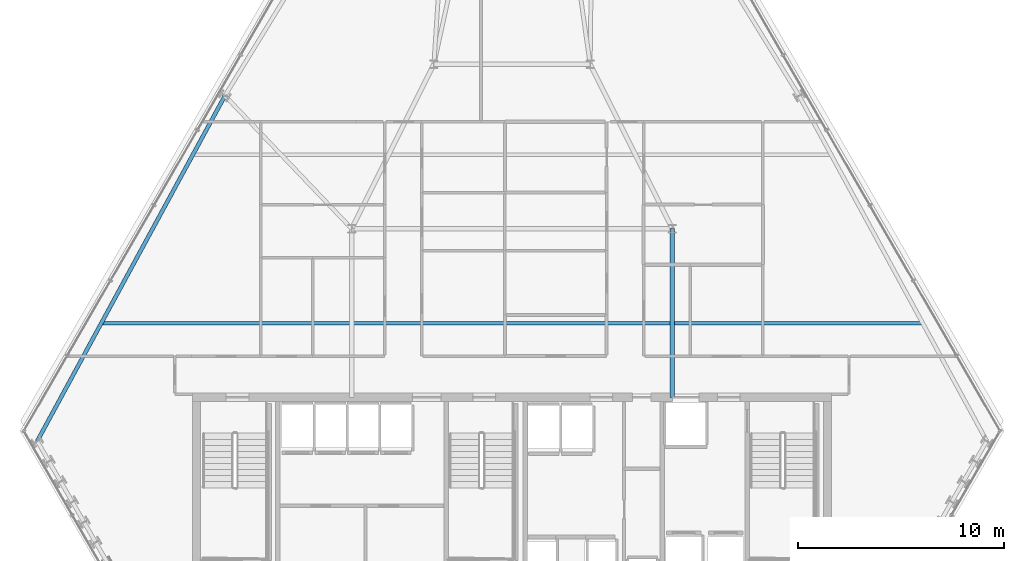
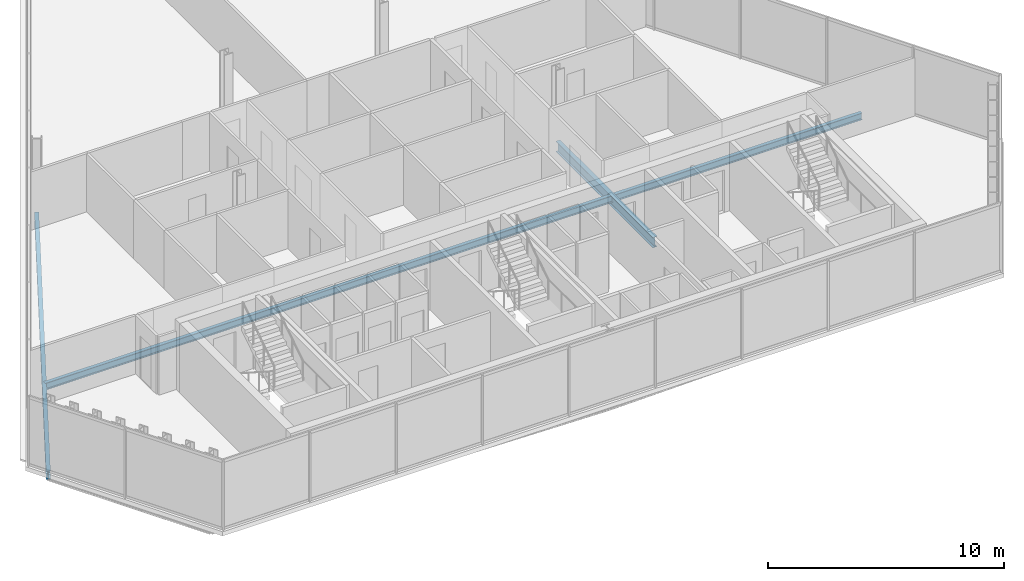
# One storey, part 9 of 33: 3 beams.
"""IFC4 building model written with IfcOpenShell, lengths in metres."""

from ifc_helpers import new_model, si_unit, direction, frame, origin, origin_2d, place, context, subcontext, project, spatial, i_section, extrude, material, material_profile, profile_set, type_object, element, save


model = new_model("IFC4")

# Units and contexts
model_context = context("Model", 3, precision=1e-05, world=origin(), true_north=direction((0.0, 1.0)))
body_context = subcontext(model_context, "Body", "Model", "MODEL_VIEW")
ifc_project = project(units=[si_unit("LENGTHUNIT", "METRE"), si_unit("AREAUNIT", "SQUARE_METRE"), si_unit("VOLUMEUNIT", "CUBIC_METRE"), si_unit("PLANEANGLEUNIT", "RADIAN"), si_unit("MASSUNIT", "GRAM", prefix="KILO")], contexts=[model_context])

# Site, building, storey
site_placement = place(None, origin())
site = spatial("IfcSite", under=ifc_project, at=site_placement, CompositionType="ELEMENT")
building_placement = place(site_placement, origin())
building = spatial("IfcBuilding", under=site, at=building_placement, Name="Ndaravel Arena Tower", CompositionType="ELEMENT")
storey_placement = place(building_placement, frame((0.0, 0.0, 184.0)))
storey = spatial("IfcBuildingStorey", under=building, at=storey_placement, Name="L44", CompositionType="ELEMENT", Elevation=184.0)

# Beams
ifc_material_1 = material(Name="Steel S355", Category="steel")
ifc_material_profile_1 = material_profile(ifc_material_1, i_section(OverallWidth=0.210693359375, OverallDepth=0.53955078125, WebThickness=0.01171875, FlangeThickness=0.018798828125, FilletRadius=0.0126953125, at=origin_2d()), Name="UB 533x210x109")
ifc_profile_set_1 = profile_set([ifc_material_profile_1], Name="Steel S355")
beam_type_1 = type_object("IfcBeamType", Name="BM-GIRD-UB533", PredefinedType="BEAM", material=ifc_profile_set_1)
beam_1_placement = place(storey_placement, frame((49.800048828125, 14.97998046875, -0.48974609375), z_axis=(0.0, 1.0, 0.0), x_axis=(-1.0, 0.0, 0.0)))
element("IfcBeam", 1, at=beam_1_placement, inside=storey, type_object=beam_type_1, Name="L44 Spine Link Girder SLG-02", PredefinedType="BEAM", context=body_context, shape_type="SweptSolid", body=[
    extrude(i_section(OverallWidth=0.210693359375, OverallDepth=0.53955078125, WebThickness=0.01171875, FlangeThickness=0.018798828125, FilletRadius=0.0126953125, at=origin_2d()), origin(), (0.0, 0.0, 1.0), 8.219970703125),
])
ifc_material_2 = material(Name="Steel S355", Category="steel")
ifc_material_profile_2 = material_profile(ifc_material_2, i_section(OverallWidth=0.172119140625, OverallDepth=0.35791015625, WebThickness=0.008056640625, FlangeThickness=0.012939453125, FilletRadius=0.01025390625, at=origin_2d()), Name="UB 356x171x57")
ifc_profile_set_2 = profile_set([ifc_material_profile_2], Name="Steel S355")
beam_type_2 = type_object("IfcBeamType", Name="BM-JOIST-UB356", PredefinedType="JOIST", material=ifc_profile_set_2)
beam_2_placement = place(storey_placement, frame((22.02197265625, 18.60009765625, -0.39892578125), z_axis=(1.0, 0.0, 0.0), x_axis=(0.0, 1.0, 0.0)))
element("IfcBeam", 2, at=beam_2_placement, inside=storey, type_object=beam_type_2, Name="L44 Composite Floor Joist FJ-01", PredefinedType="JOIST", context=body_context, shape_type="SweptSolid", body=[
    extrude(i_section(OverallWidth=0.172119140625, OverallDepth=0.35791015625, WebThickness=0.008056640625, FlangeThickness=0.012939453125, FilletRadius=0.01025390625, at=origin_2d()), origin(), (0.0, 0.0, 1.0), 39.9560546875),
])
ifc_material_3 = material(Name="Steel S355", Category="steel")
ifc_material_profile_3 = material_profile(ifc_material_3, i_section(OverallWidth=0.18994140625, OverallDepth=0.449951171875, WebThickness=0.009521484375, FlangeThickness=0.0146484375, FilletRadius=0.02099609375, at=origin_2d()), Name="IPE 450")
ifc_profile_set_3 = profile_set([ifc_material_profile_3], Name="Steel S355")
beam_type_3 = type_object("IfcBeamType", Name="BM-SPAN-IPE450", PredefinedType="SPANDREL", material=ifc_profile_set_3)
beam_3_placement = place(storey_placement, frame((28.036376953125, 29.666015625, -0.445068359375), z_axis=(-0.477531106399, -0.878614843046, 0.0), x_axis=(0.878614843046, -0.477531106399, 0.0)))
element("IfcBeam", 3, at=beam_3_placement, inside=storey, type_object=beam_type_3, Name="L44 Perimeter Spandrel Beam SP-19", PredefinedType="SPANDREL", context=body_context, shape_type="SweptSolid", body=[
    extrude(i_section(OverallWidth=0.18994140625, OverallDepth=0.449951171875, WebThickness=0.009521484375, FlangeThickness=0.0146484375, FilletRadius=0.02099609375, at=origin_2d()), origin(), (0.0, 0.0, 1.0), 19.119873046875),
])

save(model, "model.ifc")
